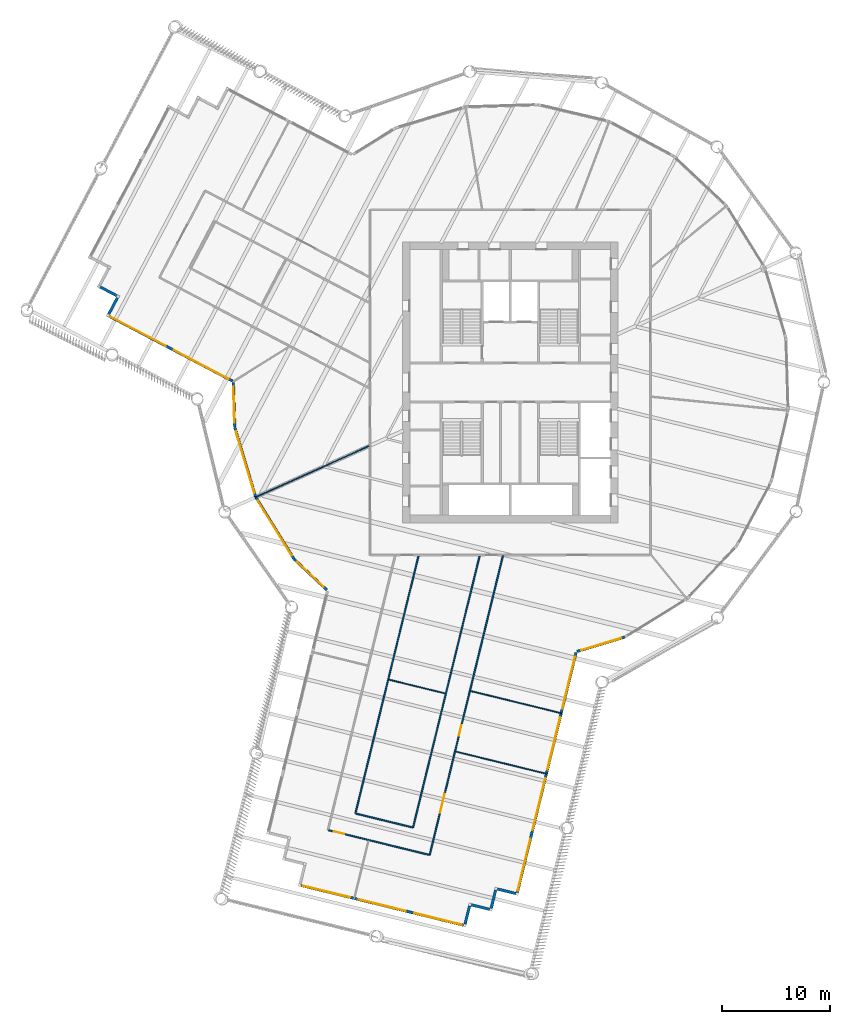
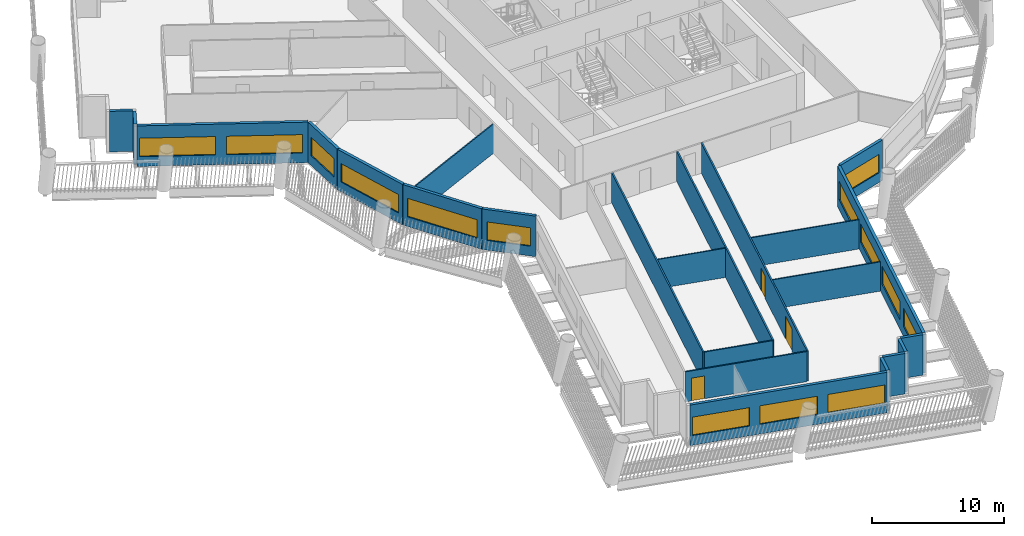
# One storey, part 3 of 15: 23 walls, 14 windows, 3 doors, 17 openings.
"""IFC4 building model written with IfcOpenShell, lengths in metres."""

from ifc_helpers import new_model, si_unit, direction, frame, frame_2d, origin, place, context, subcontext, project, spatial, rectangle, extrude, material, layer, layer_set, type_object, element, fill, save


model = new_model("IFC4")

# Units and contexts
model_context = context("Model", 3, precision=1e-05, world=origin(), true_north=direction((0.0, 1.0)))
body_context = subcontext(model_context, "Body", "Model", "MODEL_VIEW")
ifc_project = project(units=[si_unit("LENGTHUNIT", "METRE"), si_unit("AREAUNIT", "SQUARE_METRE"), si_unit("VOLUMEUNIT", "CUBIC_METRE"), si_unit("PLANEANGLEUNIT", "RADIAN"), si_unit("MASSUNIT", "GRAM", prefix="KILO")], contexts=[model_context])

# Site, building, storey
site_placement = place(None, origin())
site = spatial("IfcSite", under=ifc_project, at=site_placement, CompositionType="ELEMENT")
building_placement = place(site_placement, origin())
building = spatial("IfcBuilding", under=site, at=building_placement, Name="Tarsis Ring Headquarters", CompositionType="ELEMENT")
storey_placement = place(building_placement, frame((0.0, 0.0, 167.10009765625)))
storey = spatial("IfcBuildingStorey", under=building, at=storey_placement, Name="L38", CompositionType="ELEMENT", Elevation=167.10009765625)

# Walls
ifc_material_1 = material(Name="Gypsum board on steel studs", Category="steel")
ifc_layer_1 = layer(ifc_material_1, 0.10009765625)
ifc_layer_set_1 = layer_set([ifc_layer_1], Name="FL partition 100 unrated")
wall_type_1 = type_object("IfcWallType", Name="FL partition 100 unrated", PredefinedType="PARTITIONING", material=ifc_layer_set_1)
wall_1_placement = place(storey_placement, frame((-23.66015625, -10.653076171875, 0.0), z_axis=(0.0, 0.0, 1.0), x_axis=(0.911836896838, 0.410552644085, 0.0)))
element("IfcWall", 1, at=wall_1_placement, inside=storey, type_object=wall_type_1, Name="Partition PW3", PredefinedType="PARTITIONING", context=body_context, shape_type="SweptSolid", body=[
    extrude(rectangle(XDim=11.61083984375, YDim=0.10009765625, at=frame_2d((5.805419921875, 0.0))), origin(), (0.0, 0.0, 1.0), 2.699951171875),
])
wall_2_placement = place(storey_placement, frame((-5.0498046875, -34.200439453125, 0.0), z_axis=(0.0, 0.0, 1.0), x_axis=(0.971305363696, -0.23783584771, 0.0)))
element("IfcWall", 2, at=wall_2_placement, inside=storey, type_object=wall_type_1, Name="Partition PW3", PredefinedType="PARTITIONING", context=body_context, shape_type="SweptSolid", body=[
    extrude(rectangle(XDim=8.72021484375, YDim=0.10009765625, at=frame_2d((4.360107421875, 0.0))), origin(), (0.0, 0.0, 1.0), 2.699951171875),
])
wall_3_placement = place(storey_placement, frame((-3.6748046875, -28.586181640625, 0.0), z_axis=(0.0, 0.0, 1.0), x_axis=(0.971297311632, -0.237868729379, 0.0)))
element("IfcWall", 3, at=wall_3_placement, inside=storey, type_object=wall_type_1, Name="Partition PW3", PredefinedType="PARTITIONING", context=body_context, shape_type="SweptSolid", body=[
    extrude(rectangle(XDim=8.719970703125, YDim=0.10009765625, at=frame_2d((4.35986328125, 0.0))), origin(), (0.0, 0.0, 1.0), 2.699951171875),
])
wall_4_placement = place(storey_placement, frame((-11.2421875, -27.5361328125, 0.0), z_axis=(0.0, 0.0, 1.0), x_axis=(0.971299459314, -0.237859959507, 0.0)))
element("IfcWall", 4, at=wall_4_placement, inside=storey, type_object=wall_type_1, Name="Partition PW3", PredefinedType="PARTITIONING", context=body_context, shape_type="SweptSolid", body=[
    extrude(rectangle(XDim=5.35986328125, YDim=0.10009765625, at=frame_2d((2.679931640625, 0.0))), origin(), (0.0, 0.0, 1.0), 2.699951171875),
])

# Wall, openings, doors
ifc_layer_2 = layer(ifc_material_1, 0.125)
ifc_layer_set_2 = layer_set([ifc_layer_2], Name="FL partition 125 EI 60 H2770")
wall_type_2 = type_object("IfcWallType", Name="FL partition 125 EI 60 H2770", PredefinedType="PARTITIONING", material=ifc_layer_set_2)
wall_5_placement = place(storey_placement, frame((-7.4677734375, -43.7802734375, 0.0), z_axis=(0.0, 0.0, 1.0), x_axis=(0.237857060631, 0.97130016921, 0.0)))
wall_5 = element("IfcWall", 5, at=wall_5_placement, inside=storey, type_object=wall_type_2, Name="Partition PW1", PredefinedType="PARTITIONING", context=body_context, shape_type="SweptSolid", body=[
    extrude(rectangle(XDim=28.60107421875, YDim=0.125, at=frame_2d((14.300537109375, 0.0))), origin(), (0.0, 0.0, 1.0), 2.77001953125),
])
opening_1_placement = place(wall_5_placement, frame((11.37109375, 0.0, 0.0)))
opening_1 = element("IfcOpeningElement", 6, at=opening_1_placement, cuts=wall_5, Name="Opening D38.08", PredefinedType="OPENING", context=body_context, shape_type="SweptSolid", body=[
    extrude(rectangle(XDim=1.0, YDim=2.10009765625, at=frame_2d((0.5, 1.050048828125))), frame((0.0, 0.072509765625, 0.0), z_axis=(0.0, -1.0, 0.0), x_axis=(1.0, 0.0, 0.0)), (0.0, 0.0, 1.0), 0.14501953125),
])
opening_2_placement = place(wall_5_placement, frame((4.037841796875, 0.0, 0.0)))
opening_2 = element("IfcOpeningElement", 7, at=opening_2_placement, cuts=wall_5, Name="Opening D38.09", PredefinedType="OPENING", context=body_context, shape_type="SweptSolid", body=[
    extrude(rectangle(XDim=1.800048828125, YDim=2.10009765625, at=frame_2d((0.89990234375, 1.050048828125))), frame((0.0, 0.072509765625, 0.0), z_axis=(0.0, -1.0, 0.0), x_axis=(1.0, 0.0, 0.0)), (0.0, 0.0, 1.0), 0.14501953125),
])
ifc_material_2 = material(Name="Fire-rated timber door leaf in steel frame", Category="steel")
door_type_1 = type_object("IfcDoorType", Name="FL door FD60-1000", OperationType="NOTDEFINED", PredefinedType="DOOR", material=ifc_material_2)
door_1_placement = place(opening_1_placement, origin())
door_1 = element("IfcDoor", 8, at=door_1_placement, inside=storey, type_object=door_type_1, Name="Door D38.08", OperationType="SINGLE_SWING_RIGHT", OverallHeight=2.10009765625, OverallWidth=1.0, PredefinedType="DOOR", context=body_context, shape_type="SweptSolid", body=[
    extrude(rectangle(XDim=1.0, YDim=2.10009765625, at=frame_2d((0.5, 1.050048828125))), frame((0.0, 0.02490234375, 0.0), z_axis=(0.0, -1.0, 0.0), x_axis=(1.0, 0.0, 0.0)), (0.0, 0.0, 1.0), 0.050048828125),
])
fill(opening_1, door_1)
door_type_2 = type_object("IfcDoorType", Name="FL door FD60-1800", OperationType="DOUBLE_DOOR_SINGLE_SWING", PredefinedType="DOOR", material=ifc_material_2)
door_2_placement = place(opening_2_placement, origin())
door_2 = element("IfcDoor", 9, at=door_2_placement, inside=storey, type_object=door_type_2, Name="Door D38.09", OperationType="DOUBLE_DOOR_SINGLE_SWING", OverallHeight=2.10009765625, OverallWidth=1.800048828125, PredefinedType="DOOR", context=body_context, shape_type="SweptSolid", body=[
    extrude(rectangle(XDim=1.800048828125, YDim=2.10009765625, at=frame_2d((0.89990234375, 1.050048828125))), frame((0.0, 0.02490234375, 0.0), z_axis=(0.0, -1.0, 0.0), x_axis=(1.0, 0.0, 0.0)), (0.0, 0.0, 1.0), 0.050048828125),
])
fill(opening_2, door_2)

# Walls
wall_6_placement = place(storey_placement, frame((-9.0078125, -41.240966796875, 0.0), z_axis=(0.0, 0.0, 1.0), x_axis=(0.237851499011, 0.971301531152, 0.0)))
element("IfcWall", 10, at=wall_6_placement, inside=storey, type_object=wall_type_2, Name="Partition PW1", PredefinedType="PARTITIONING", context=body_context, shape_type="SweptSolid", body=[
    extrude(rectangle(XDim=25.91650390625, YDim=0.125, at=frame_2d((12.958251953125, 0.0))), origin(), (0.0, 0.0, 1.0), 2.77001953125),
])
wall_7_placement = place(storey_placement, frame((-14.35009765625, -39.932861328125, 0.0), z_axis=(0.0, 0.0, 1.0), x_axis=(0.237852085073, 0.971301387637, 0.0)))
element("IfcWall", 11, at=wall_7_placement, inside=storey, type_object=wall_type_2, Name="Partition PW1", PredefinedType="PARTITIONING", context=body_context, shape_type="SweptSolid", body=[
    extrude(rectangle(XDim=24.56982421875, YDim=0.125, at=frame_2d((12.284912109375, 0.0))), origin(), (0.0, 0.0, 1.0), 2.77001953125),
])

# Wall, opening, door
wall_8_placement = place(storey_placement, frame((-16.8310546875, -41.4873046875, 0.0), z_axis=(0.0, 0.0, 1.0), x_axis=(0.971297551952, -0.23786774807, 0.0)))
wall_8 = element("IfcWall", 12, at=wall_8_placement, inside=storey, type_object=wall_type_2, Name="Partition PW1", PredefinedType="PARTITIONING", context=body_context, shape_type="SweptSolid", body=[
    extrude(rectangle(XDim=9.580078125, YDim=0.125, at=frame_2d((4.7900390625, 0.0))), origin(), (0.0, 0.0, 1.0), 2.77001953125),
])
opening_3_placement = place(wall_8_placement, frame((0.489990234375, 0.0, 0.0)))
opening_3 = element("IfcOpeningElement", 13, at=opening_3_placement, cuts=wall_8, Name="Opening D38.10", PredefinedType="OPENING", context=body_context, shape_type="SweptSolid", body=[
    extrude(rectangle(XDim=1.0, YDim=2.10009765625, at=frame_2d((0.5, 1.050048828125))), frame((0.0, 0.072509765625, 0.0), z_axis=(0.0, -1.0, 0.0), x_axis=(1.0, 0.0, 0.0)), (0.0, 0.0, 1.0), 0.14501953125),
])
door_3_placement = place(opening_3_placement, origin())
door_3 = element("IfcDoor", 14, at=door_3_placement, inside=storey, type_object=door_type_1, Name="Door D38.10", OperationType="SINGLE_SWING_RIGHT", OverallHeight=2.10009765625, OverallWidth=1.0, PredefinedType="DOOR", context=body_context, shape_type="SweptSolid", body=[
    extrude(rectangle(XDim=1.0, YDim=2.10009765625, at=frame_2d((0.5, 1.050048828125))), frame((0.0, 0.02490234375, 0.0), z_axis=(0.0, -1.0, 0.0), x_axis=(1.0, 0.0, 0.0)), (0.0, 0.0, 1.0), 0.050048828125),
])
fill(opening_3, door_3)

# Wall
wall_9_placement = place(storey_placement, frame((-14.291748046875, -39.947021484375, 0.0), z_axis=(0.0, 0.0, 1.0), x_axis=(0.971295171908, -0.237877466415, 0.0)))
element("IfcWall", 15, at=wall_9_placement, inside=storey, type_object=wall_type_2, Name="Partition PW1", PredefinedType="PARTITIONING", context=body_context, shape_type="SweptSolid", body=[
    extrude(rectangle(XDim=5.380126953125, YDim=0.125, at=frame_2d((2.68994140625, 0.0))), origin(), (0.0, 0.0, 1.0), 2.77001953125),
])

# Wall, openings, windows
ifc_material_3 = material(Name="Terracotta clad insulated panel wall", Category="masonry")
ifc_layer_3 = layer(ifc_material_3, 0.25)
ifc_layer_set_3 = layer_set([ifc_layer_3], Name="Facade wall terracotta panel 250")
wall_type_3 = type_object("IfcWallType", Name="Facade wall terracotta panel 250", PredefinedType="STANDARD", material=ifc_layer_set_3)
wall_10_placement = place(storey_placement, frame((-37.16650390625, 6.14306640625, 0.0), z_axis=(0.0, 0.0, 1.0), x_axis=(0.884903058135, -0.465775243764, 0.0)))
wall_10 = element("IfcWall", 16, at=wall_10_placement, inside=storey, type_object=wall_type_3, Name="External wall L38-01", PredefinedType="STANDARD", context=body_context, shape_type="SweptSolid", body=[
    extrude(rectangle(XDim=12.922119140625, YDim=0.25, at=frame_2d((6.4609375, 0.0))), origin(), (0.0, 0.0, 1.0), 3.739990234375),
])
opening_4_placement = place(wall_10_placement, frame((0.16796875, 0.0, 0.89990234375)))
opening_4 = element("IfcOpeningElement", 17, at=opening_4_placement, cuts=wall_10, Name="Opening WN06", PredefinedType="OPENING", context=body_context, shape_type="SweptSolid", body=[
    extrude(rectangle(XDim=5.75, YDim=1.699951171875, at=frame_2d((2.875, 0.85009765625))), frame((0.0, 0.135009765625, 0.0), z_axis=(0.0, -1.0, 0.0), x_axis=(1.0, 0.0, 0.0)), (0.0, 0.0, 1.0), 0.27001953125),
])
opening_5_placement = place(wall_10_placement, frame((6.75390625, 0.0, 0.89990234375)))
opening_5 = element("IfcOpeningElement", 18, at=opening_5_placement, cuts=wall_10, Name="Opening WN06", PredefinedType="OPENING", context=body_context, shape_type="SweptSolid", body=[
    extrude(rectangle(XDim=5.75, YDim=1.699951171875, at=frame_2d((2.875, 0.85009765625))), frame((0.0, 0.135009765625, 0.0), z_axis=(0.0, -1.0, 0.0), x_axis=(1.0, 0.0, 0.0)), (0.0, 0.0, 1.0), 0.27001953125),
])
ifc_material_4 = material(Name="Aluminium framed double glazing", Category="aluminium")
window_type_1 = type_object("IfcWindowType", Name="Facade window 5750 x 1700", PartitioningType="SINGLE_PANEL", PredefinedType="WINDOW", material=ifc_material_4)
window_1_placement = place(opening_4_placement, origin())
window_1 = element("IfcWindow", 19, at=window_1_placement, inside=storey, type_object=window_type_1, Name="Window L38-01.1", OverallHeight=1.699951171875, OverallWidth=5.75, PartitioningType="SINGLE_PANEL", PredefinedType="WINDOW", context=body_context, shape_type="SweptSolid", body=[
    extrude(rectangle(XDim=5.75, YDim=1.699951171875, at=frame_2d((2.875, 0.85009765625))), frame((0.0, 0.030029296875, 0.0), z_axis=(0.0, -1.0, 0.0), x_axis=(1.0, 0.0, 0.0)), (0.0, 0.0, 1.0), 0.06005859375),
])
fill(opening_4, window_1)
window_2_placement = place(opening_5_placement, origin())
window_2 = element("IfcWindow", 20, at=window_2_placement, inside=storey, type_object=window_type_1, Name="Window L38-01.2", OverallHeight=1.699951171875, OverallWidth=5.75, PartitioningType="SINGLE_PANEL", PredefinedType="WINDOW", context=body_context, shape_type="SweptSolid", body=[
    extrude(rectangle(XDim=5.75, YDim=1.699951171875, at=frame_2d((2.875, 0.85009765625))), frame((0.0, 0.030029296875, 0.0), z_axis=(0.0, -1.0, 0.0), x_axis=(1.0, 0.0, 0.0)), (0.0, 0.0, 1.0), 0.06005859375),
])
fill(opening_5, window_2)

# Wall, opening, window
wall_11_placement = place(storey_placement, frame((-25.6650390625, 0.017578125, 0.0), z_axis=(0.0, 0.0, 1.0), x_axis=(0.030417125916, -0.999537292176, 0.0)))
wall_11 = element("IfcWall", 21, at=wall_11_placement, inside=storey, type_object=wall_type_3, Name="External wall L38-02", PredefinedType="STANDARD", context=body_context, shape_type="SweptSolid", body=[
    extrude(rectangle(XDim=4.15771484375, YDim=0.25, at=frame_2d((2.078857421875, 0.0))), origin(), (0.0, 0.0, 1.0), 3.739990234375),
])
opening_6_placement = place(wall_11_placement, frame((0.420166015625, 0.0, 0.89990234375)))
opening_6 = element("IfcOpeningElement", 22, at=opening_6_placement, cuts=wall_11, Name="Opening WN01", PredefinedType="OPENING", context=body_context, shape_type="SweptSolid", body=[
    extrude(rectangle(XDim=3.35009765625, YDim=1.699951171875, at=frame_2d((1.675048828125, 0.85009765625))), frame((0.0, 0.135009765625, 0.0), z_axis=(0.0, -1.0, 0.0), x_axis=(1.0, 0.0, 0.0)), (0.0, 0.0, 1.0), 0.27001953125),
])
window_type_2 = type_object("IfcWindowType", Name="Facade window 3350 x 1700", PartitioningType="SINGLE_PANEL", PredefinedType="WINDOW", material=ifc_material_4)
window_3_placement = place(opening_6_placement, origin())
window_3 = element("IfcWindow", 23, at=window_3_placement, inside=storey, type_object=window_type_2, Name="Window L38-02.1", OverallHeight=1.699951171875, OverallWidth=3.35009765625, PartitioningType="SINGLE_PANEL", PredefinedType="WINDOW", context=body_context, shape_type="SweptSolid", body=[
    extrude(rectangle(XDim=3.35009765625, YDim=1.699951171875, at=frame_2d((1.675048828125, 0.85009765625))), frame((0.0, 0.030029296875, 0.0), z_axis=(0.0, -1.0, 0.0), x_axis=(1.0, 0.0, 0.0)), (0.0, 0.0, 1.0), 0.06005859375),
])
fill(opening_6, window_3)

wall_12_placement = place(storey_placement, frame((-25.533447265625, -4.17041015625, 0.0), z_axis=(0.0, 0.0, 1.0), x_axis=(0.288040945405, -0.957618093903, 0.0)))
wall_12 = element("IfcWall", 24, at=wall_12_placement, inside=storey, type_object=wall_type_3, Name="External wall L38-03", PredefinedType="STANDARD", context=body_context, shape_type="SweptSolid", body=[
    extrude(rectangle(XDim=6.721435546875, YDim=0.25, at=frame_2d((3.36083984375, 0.0))), origin(), (0.0, 0.0, 1.0), 3.739990234375),
])
opening_7_placement = place(wall_12_placement, frame((0.3857421875, 0.0, 0.89990234375)))
opening_7 = element("IfcOpeningElement", 25, at=opening_7_placement, cuts=wall_12, Name="Opening WN07", PredefinedType="OPENING", context=body_context, shape_type="SweptSolid", body=[
    extrude(rectangle(XDim=5.949951171875, YDim=1.699951171875, at=frame_2d((2.97509765625, 0.85009765625))), frame((0.0, 0.135009765625, 0.0), z_axis=(0.0, -1.0, 0.0), x_axis=(1.0, 0.0, 0.0)), (0.0, 0.0, 1.0), 0.27001953125),
])
window_type_3 = type_object("IfcWindowType", Name="Facade window 5950 x 1700", PartitioningType="SINGLE_PANEL", PredefinedType="WINDOW", material=ifc_material_4)
window_4_placement = place(opening_7_placement, origin())
window_4 = element("IfcWindow", 26, at=window_4_placement, inside=storey, type_object=window_type_3, Name="Window L38-03.1", OverallHeight=1.699951171875, OverallWidth=5.949951171875, PartitioningType="SINGLE_PANEL", PredefinedType="WINDOW", context=body_context, shape_type="SweptSolid", body=[
    extrude(rectangle(XDim=5.949951171875, YDim=1.699951171875, at=frame_2d((2.97509765625, 0.85009765625))), frame((0.0, 0.030029296875, 0.0), z_axis=(0.0, -1.0, 0.0), x_axis=(1.0, 0.0, 0.0)), (0.0, 0.0, 1.0), 0.06005859375),
])
fill(opening_7, window_4)

wall_13_placement = place(storey_placement, frame((-23.583984375, -10.63671875, 0.0), z_axis=(0.0, 0.0, 1.0), x_axis=(0.526055727064, -0.850450099667, 0.0)))
wall_13 = element("IfcWall", 27, at=wall_13_placement, inside=storey, type_object=wall_type_3, Name="External wall L38-04", PredefinedType="STANDARD", context=body_context, shape_type="SweptSolid", body=[
    extrude(rectangle(XDim=6.721435546875, YDim=0.25, at=frame_2d((3.36083984375, 0.0))), origin(), (0.0, 0.0, 1.0), 3.739990234375),
])
opening_8_placement = place(wall_13_placement, frame((0.3857421875, 0.0, 0.89990234375)))
opening_8 = element("IfcOpeningElement", 28, at=opening_8_placement, cuts=wall_13, Name="Opening WN07", PredefinedType="OPENING", context=body_context, shape_type="SweptSolid", body=[
    extrude(rectangle(XDim=5.949951171875, YDim=1.699951171875, at=frame_2d((2.97509765625, 0.85009765625))), frame((0.0, 0.135009765625, 0.0), z_axis=(0.0, -1.0, 0.0), x_axis=(1.0, 0.0, 0.0)), (0.0, 0.0, 1.0), 0.27001953125),
])
window_5_placement = place(opening_8_placement, origin())
window_5 = element("IfcWindow", 29, at=window_5_placement, inside=storey, type_object=window_type_3, Name="Window L38-04.1", OverallHeight=1.699951171875, OverallWidth=5.949951171875, PartitioningType="SINGLE_PANEL", PredefinedType="WINDOW", context=body_context, shape_type="SweptSolid", body=[
    extrude(rectangle(XDim=5.949951171875, YDim=1.699951171875, at=frame_2d((2.97509765625, 0.85009765625))), frame((0.0, 0.030029296875, 0.0), z_axis=(0.0, -1.0, 0.0), x_axis=(1.0, 0.0, 0.0)), (0.0, 0.0, 1.0), 0.06005859375),
])
fill(opening_8, window_5)

wall_14_placement = place(storey_placement, frame((-20.02734375, -16.37841796875, 0.0), z_axis=(0.0, 0.0, 1.0), x_axis=(0.728244815849, -0.685317071281, 0.0)))
wall_14 = element("IfcWall", 30, at=wall_14_placement, inside=storey, type_object=wall_type_3, Name="External wall L38-05", PredefinedType="STANDARD", context=body_context, shape_type="SweptSolid", body=[
    extrude(rectangle(XDim=4.157470703125, YDim=0.25, at=frame_2d((2.07861328125, 0.0))), origin(), (0.0, 0.0, 1.0), 3.739990234375),
])
opening_9_placement = place(wall_14_placement, frame((0.38720703125, 0.0, 0.89990234375)))
opening_9 = element("IfcOpeningElement", 31, at=opening_9_placement, cuts=wall_14, Name="Opening WN01", PredefinedType="OPENING", context=body_context, shape_type="SweptSolid", body=[
    extrude(rectangle(XDim=3.35009765625, YDim=1.699951171875, at=frame_2d((1.675048828125, 0.85009765625))), frame((0.0, 0.135009765625, 0.0), z_axis=(0.0, -1.0, 0.0), x_axis=(1.0, 0.0, 0.0)), (0.0, 0.0, 1.0), 0.27001953125),
])
window_6_placement = place(opening_9_placement, origin())
window_6 = element("IfcWindow", 32, at=window_6_placement, inside=storey, type_object=window_type_2, Name="Window L38-05.1", OverallHeight=1.699951171875, OverallWidth=3.35009765625, PartitioningType="SINGLE_PANEL", PredefinedType="WINDOW", context=body_context, shape_type="SweptSolid", body=[
    extrude(rectangle(XDim=3.35009765625, YDim=1.699951171875, at=frame_2d((1.675048828125, 0.85009765625))), frame((0.0, 0.030029296875, 0.0), z_axis=(0.0, -1.0, 0.0), x_axis=(1.0, 0.0, 0.0)), (0.0, 0.0, 1.0), 0.06005859375),
])
fill(opening_9, window_6)

# Wall, openings, windows
wall_15_placement = place(storey_placement, frame((-19.390625, -46.600341796875, 0.0), z_axis=(0.0, 0.0, 1.0), x_axis=(0.971300505065, -0.237855689148, 0.0)))
wall_15 = element("IfcWall", 33, at=wall_15_placement, inside=storey, type_object=wall_type_3, Name="External wall L38-11", PredefinedType="STANDARD", context=body_context, shape_type="SweptSolid", body=[
    extrude(rectangle(XDim=15.5, YDim=0.25, at=frame_2d((7.75, 0.0))), origin(), (0.0, 0.0, 1.0), 3.739990234375),
])
opening_10_placement = place(wall_15_placement, frame((0.166748046875, 0.0, 0.89990234375)))
opening_10 = element("IfcOpeningElement", 34, at=opening_10_placement, cuts=wall_15, Name="Opening WN04", PredefinedType="OPENING", context=body_context, shape_type="SweptSolid", body=[
    extrude(rectangle(XDim=4.5, YDim=1.699951171875, at=frame_2d((2.25, 0.85009765625))), frame((0.0, 0.135009765625, 0.0), z_axis=(0.0, -1.0, 0.0), x_axis=(1.0, 0.0, 0.0)), (0.0, 0.0, 1.0), 0.27001953125),
])
opening_11_placement = place(wall_15_placement, frame((5.5, 0.0, 0.89990234375)))
opening_11 = element("IfcOpeningElement", 35, at=opening_11_placement, cuts=wall_15, Name="Opening WN04", PredefinedType="OPENING", context=body_context, shape_type="SweptSolid", body=[
    extrude(rectangle(XDim=4.5, YDim=1.699951171875, at=frame_2d((2.25, 0.85009765625))), frame((0.0, 0.135009765625, 0.0), z_axis=(0.0, -1.0, 0.0), x_axis=(1.0, 0.0, 0.0)), (0.0, 0.0, 1.0), 0.27001953125),
])
opening_12_placement = place(wall_15_placement, frame((10.833251953125, 0.0, 0.89990234375)))
opening_12 = element("IfcOpeningElement", 36, at=opening_12_placement, cuts=wall_15, Name="Opening WN04", PredefinedType="OPENING", context=body_context, shape_type="SweptSolid", body=[
    extrude(rectangle(XDim=4.5, YDim=1.699951171875, at=frame_2d((2.25, 0.85009765625))), frame((0.0, 0.135009765625, 0.0), z_axis=(0.0, -1.0, 0.0), x_axis=(1.0, 0.0, 0.0)), (0.0, 0.0, 1.0), 0.27001953125),
])
window_type_4 = type_object("IfcWindowType", Name="Facade window 4500 x 1700", PartitioningType="SINGLE_PANEL", PredefinedType="WINDOW", material=ifc_material_4)
window_7_placement = place(opening_10_placement, origin())
window_7 = element("IfcWindow", 37, at=window_7_placement, inside=storey, type_object=window_type_4, Name="Window L38-11.1", OverallHeight=1.699951171875, OverallWidth=4.5, PartitioningType="SINGLE_PANEL", PredefinedType="WINDOW", context=body_context, shape_type="SweptSolid", body=[
    extrude(rectangle(XDim=4.5, YDim=1.699951171875, at=frame_2d((2.25, 0.85009765625))), frame((0.0, 0.030029296875, 0.0), z_axis=(0.0, -1.0, 0.0), x_axis=(1.0, 0.0, 0.0)), (0.0, 0.0, 1.0), 0.06005859375),
])
fill(opening_10, window_7)
window_8_placement = place(opening_11_placement, origin())
window_8 = element("IfcWindow", 38, at=window_8_placement, inside=storey, type_object=window_type_4, Name="Window L38-11.2", OverallHeight=1.699951171875, OverallWidth=4.5, PartitioningType="SINGLE_PANEL", PredefinedType="WINDOW", context=body_context, shape_type="SweptSolid", body=[
    extrude(rectangle(XDim=4.5, YDim=1.699951171875, at=frame_2d((2.25, 0.85009765625))), frame((0.0, 0.030029296875, 0.0), z_axis=(0.0, -1.0, 0.0), x_axis=(1.0, 0.0, 0.0)), (0.0, 0.0, 1.0), 0.06005859375),
])
fill(opening_11, window_8)
window_9_placement = place(opening_12_placement, origin())
window_9 = element("IfcWindow", 39, at=window_9_placement, inside=storey, type_object=window_type_4, Name="Window L38-11.3", OverallHeight=1.699951171875, OverallWidth=4.5, PartitioningType="SINGLE_PANEL", PredefinedType="WINDOW", context=body_context, shape_type="SweptSolid", body=[
    extrude(rectangle(XDim=4.5, YDim=1.699951171875, at=frame_2d((2.25, 0.85009765625))), frame((0.0, 0.030029296875, 0.0), z_axis=(0.0, -1.0, 0.0), x_axis=(1.0, 0.0, 0.0)), (0.0, 0.0, 1.0), 0.06005859375),
])
fill(opening_12, window_9)

# Walls
for number, where, z_axis, x_axis, name in (
    (40, (-4.184326171875, -50.1953125, 0.0), (0.0, 0.0, 1.0), (0.237871415503, 0.971296653802, 0.0), "External wall L38-12"),
    (41, (-3.616943359375, -48.40380859375, 0.0), (0.0, 0.0, 1.0), (0.971296653802, -0.237871415503, 0.0), "External wall L38-13"),
):
    element("IfcWall", number, at=place(storey_placement, frame(where, z_axis=z_axis, x_axis=x_axis)), inside=storey, type_object=wall_type_3, Name=name, PredefinedType="STANDARD", context=body_context, shape_type="SweptSolid", body=[
        extrude(rectangle(XDim=1.75, YDim=0.25, at=frame_2d((0.875, 0.0))), origin(), (0.0, 0.0, 1.0), 3.739990234375),
    ])
for number, where, z_axis, x_axis, name in (
    (42, (-1.76611328125, -48.728515625, 0.0), (0.0, 0.0, 1.0), (0.237839185901, 0.971304546293, 0.0), "External wall L38-14"),
    (43, (-1.19873046875, -46.93701171875, 0.0), (0.0, 0.0, 1.0), (0.971304546293, -0.237839185901, 0.0), "External wall L38-15"),
):
    element("IfcWall", number, at=place(storey_placement, frame(where, z_axis=z_axis, x_axis=x_axis)), inside=storey, type_object=wall_type_3, Name=name, PredefinedType="STANDARD", context=body_context, shape_type="SweptSolid", body=[
        extrude(rectangle(XDim=1.750244140625, YDim=0.25, at=frame_2d((0.875, 0.0))), origin(), (0.0, 0.0, 1.0), 3.739990234375),
    ])

# Wall, openings, windows
wall_16_placement = place(storey_placement, frame((0.65234375, -47.261474609375, 0.0), z_axis=(0.0, 0.0, 1.0), x_axis=(0.237859698213, 0.971299523302, 0.0)))
wall_16 = element("IfcWall", 44, at=wall_16_placement, inside=storey, type_object=wall_type_3, Name="External wall L38-16", PredefinedType="STANDARD", context=body_context, shape_type="SweptSolid", body=[
    extrude(rectangle(XDim=22.901123046875, YDim=0.25, at=frame_2d((11.45068359375, 0.0))), origin(), (0.0, 0.0, 1.0), 3.739990234375),
])
opening_13_placement = place(wall_16_placement, frame((0.1689453125, 0.0, 0.89990234375)))
opening_13 = element("IfcOpeningElement", 45, at=opening_13_placement, cuts=wall_16, Name="Opening WN05", PredefinedType="OPENING", context=body_context, shape_type="SweptSolid", body=[
    extrude(rectangle(XDim=4.949951171875, YDim=1.699951171875, at=frame_2d((2.47509765625, 0.85009765625))), frame((0.0, 0.135009765625, 0.0), z_axis=(0.0, -1.0, 0.0), x_axis=(1.0, 0.0, 0.0)), (0.0, 0.0, 1.0), 0.27001953125),
])
opening_14_placement = place(wall_16_placement, frame((5.956787109375, 0.0, 0.89990234375)))
opening_14 = element("IfcOpeningElement", 46, at=opening_14_placement, cuts=wall_16, Name="Opening WN05", PredefinedType="OPENING", context=body_context, shape_type="SweptSolid", body=[
    extrude(rectangle(XDim=4.949951171875, YDim=1.699951171875, at=frame_2d((2.47509765625, 0.85009765625))), frame((0.0, 0.135009765625, 0.0), z_axis=(0.0, -1.0, 0.0), x_axis=(1.0, 0.0, 0.0)), (0.0, 0.0, 1.0), 0.27001953125),
])
opening_15_placement = place(wall_16_placement, frame((11.74462890625, 0.0, 0.89990234375)))
opening_15 = element("IfcOpeningElement", 47, at=opening_15_placement, cuts=wall_16, Name="Opening WN05", PredefinedType="OPENING", context=body_context, shape_type="SweptSolid", body=[
    extrude(rectangle(XDim=4.949951171875, YDim=1.699951171875, at=frame_2d((2.47509765625, 0.85009765625))), frame((0.0, 0.135009765625, 0.0), z_axis=(0.0, -1.0, 0.0), x_axis=(1.0, 0.0, 0.0)), (0.0, 0.0, 1.0), 0.27001953125),
])
opening_16_placement = place(wall_16_placement, frame((17.532470703125, 0.0, 0.89990234375)))
opening_16 = element("IfcOpeningElement", 48, at=opening_16_placement, cuts=wall_16, Name="Opening WN05", PredefinedType="OPENING", context=body_context, shape_type="SweptSolid", body=[
    extrude(rectangle(XDim=4.949951171875, YDim=1.699951171875, at=frame_2d((2.47509765625, 0.85009765625))), frame((0.0, 0.135009765625, 0.0), z_axis=(0.0, -1.0, 0.0), x_axis=(1.0, 0.0, 0.0)), (0.0, 0.0, 1.0), 0.27001953125),
])
window_type_5 = type_object("IfcWindowType", Name="Facade window 4950 x 1700", PartitioningType="SINGLE_PANEL", PredefinedType="WINDOW", material=ifc_material_4)
window_10_placement = place(opening_13_placement, origin())
window_10 = element("IfcWindow", 49, at=window_10_placement, inside=storey, type_object=window_type_5, Name="Window L38-16.1", OverallHeight=1.699951171875, OverallWidth=4.949951171875, PartitioningType="SINGLE_PANEL", PredefinedType="WINDOW", context=body_context, shape_type="SweptSolid", body=[
    extrude(rectangle(XDim=4.949951171875, YDim=1.699951171875, at=frame_2d((2.47509765625, 0.85009765625))), frame((0.0, 0.030029296875, 0.0), z_axis=(0.0, -1.0, 0.0), x_axis=(1.0, 0.0, 0.0)), (0.0, 0.0, 1.0), 0.06005859375),
])
fill(opening_13, window_10)
window_11_placement = place(opening_14_placement, origin())
window_11 = element("IfcWindow", 50, at=window_11_placement, inside=storey, type_object=window_type_5, Name="Window L38-16.2", OverallHeight=1.699951171875, OverallWidth=4.949951171875, PartitioningType="SINGLE_PANEL", PredefinedType="WINDOW", context=body_context, shape_type="SweptSolid", body=[
    extrude(rectangle(XDim=4.949951171875, YDim=1.699951171875, at=frame_2d((2.47509765625, 0.85009765625))), frame((0.0, 0.030029296875, 0.0), z_axis=(0.0, -1.0, 0.0), x_axis=(1.0, 0.0, 0.0)), (0.0, 0.0, 1.0), 0.06005859375),
])
fill(opening_14, window_11)
window_12_placement = place(opening_15_placement, origin())
window_12 = element("IfcWindow", 51, at=window_12_placement, inside=storey, type_object=window_type_5, Name="Window L38-16.3", OverallHeight=1.699951171875, OverallWidth=4.949951171875, PartitioningType="SINGLE_PANEL", PredefinedType="WINDOW", context=body_context, shape_type="SweptSolid", body=[
    extrude(rectangle(XDim=4.949951171875, YDim=1.699951171875, at=frame_2d((2.47509765625, 0.85009765625))), frame((0.0, 0.030029296875, 0.0), z_axis=(0.0, -1.0, 0.0), x_axis=(1.0, 0.0, 0.0)), (0.0, 0.0, 1.0), 0.06005859375),
])
fill(opening_15, window_12)
window_13_placement = place(opening_16_placement, origin())
window_13 = element("IfcWindow", 52, at=window_13_placement, inside=storey, type_object=window_type_5, Name="Window L38-16.4", OverallHeight=1.699951171875, OverallWidth=4.949951171875, PartitioningType="SINGLE_PANEL", PredefinedType="WINDOW", context=body_context, shape_type="SweptSolid", body=[
    extrude(rectangle(XDim=4.949951171875, YDim=1.699951171875, at=frame_2d((2.47509765625, 0.85009765625))), frame((0.0, 0.030029296875, 0.0), z_axis=(0.0, -1.0, 0.0), x_axis=(1.0, 0.0, 0.0)), (0.0, 0.0, 1.0), 0.06005859375),
])
fill(opening_16, window_13)

# Wall, opening, window
wall_17_placement = place(storey_placement, frame((6.184814453125, -24.927490234375, 0.0), z_axis=(0.0, 0.0, 1.0), x_axis=(0.957620869537, 0.288031717398, 0.0)))
wall_17 = element("IfcWall", 53, at=wall_17_placement, inside=storey, type_object=wall_type_3, Name="External wall L38-17", PredefinedType="STANDARD", context=body_context, shape_type="SweptSolid", body=[
    extrude(rectangle(XDim=4.617919921875, YDim=0.25, at=frame_2d((2.30908203125, 0.0))), origin(), (0.0, 0.0, 1.0), 3.739990234375),
])
opening_17_placement = place(wall_17_placement, frame((0.400390625, 0.0, 0.89990234375)))
opening_17 = element("IfcOpeningElement", 54, at=opening_17_placement, cuts=wall_17, Name="Opening WN02", PredefinedType="OPENING", context=body_context, shape_type="SweptSolid", body=[
    extrude(rectangle(XDim=3.85009765625, YDim=1.699951171875, at=frame_2d((1.925048828125, 0.85009765625))), frame((0.0, 0.135009765625, 0.0), z_axis=(0.0, -1.0, 0.0), x_axis=(1.0, 0.0, 0.0)), (0.0, 0.0, 1.0), 0.27001953125),
])
window_type_6 = type_object("IfcWindowType", Name="Facade window 3850 x 1700", PartitioningType="SINGLE_PANEL", PredefinedType="WINDOW", material=ifc_material_4)
window_14_placement = place(opening_17_placement, origin())
window_14 = element("IfcWindow", 55, at=window_14_placement, inside=storey, type_object=window_type_6, Name="Window L38-17.1", OverallHeight=1.699951171875, OverallWidth=3.85009765625, PartitioningType="SINGLE_PANEL", PredefinedType="WINDOW", context=body_context, shape_type="SweptSolid", body=[
    extrude(rectangle(XDim=3.85009765625, YDim=1.699951171875, at=frame_2d((1.925048828125, 0.85009765625))), frame((0.0, 0.030029296875, 0.0), z_axis=(0.0, -1.0, 0.0), x_axis=(1.0, 0.0, 0.0)), (0.0, 0.0, 1.0), 0.06005859375),
])
fill(opening_17, window_14)

# Walls
for number, where, z_axis, x_axis, name in (
    (56, (-38.004638671875, 8.84423828125, 0.0), (0.0, 0.0, 1.0), (0.884942431999, -0.465700431659, 0.0), "External wall L38-39"),
    (57, (-36.40380859375, 7.8603515625, 0.0), (0.0, 0.0, 1.0), (-0.465700431659, -0.884942431999, 0.0), "External wall L38-40"),
):
    element("IfcWall", number, at=place(storey_placement, frame(where, z_axis=z_axis, x_axis=x_axis)), inside=storey, type_object=wall_type_3, Name=name, PredefinedType="STANDARD", context=body_context, shape_type="SweptSolid", body=[
        extrude(rectangle(XDim=1.75, YDim=0.25, at=frame_2d((0.875, 0.0))), origin(), (0.0, 0.0, 1.0), 3.739990234375),
    ])

save(model, "model.ifc")
